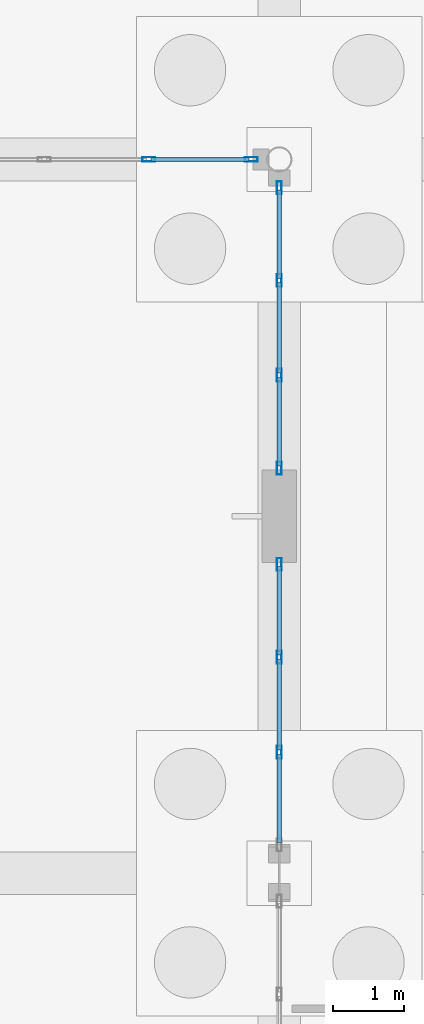
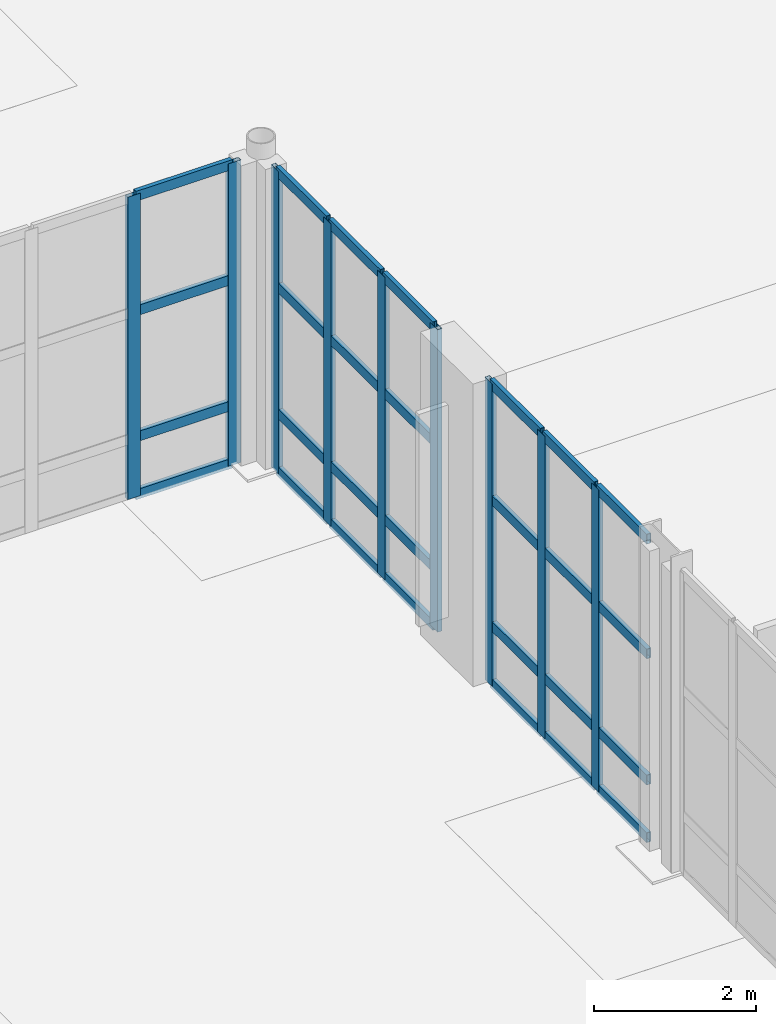
# One storey, part 31 of 73: 37 members, 3 elements without a shape of their own.
"""IFC4 building model written with IfcOpenShell, lengths in metres."""

from ifc_helpers import new_model, si_unit, direction, frame, origin, origin_2d, place, context, subcontext, project, spatial, hollow_rectangle, extrude, material, layer, layer_set, material_profile, profile_set, type_object, element, aggregate, save


model = new_model("IFC4")

# Units and contexts
model_context = context("Model", 3, precision=1e-05, world=origin(), true_north=direction((0.0, 1.0)))
body_context = subcontext(model_context, "Body", "Model", "MODEL_VIEW")
ifc_project = project(units=[si_unit("LENGTHUNIT", "METRE"), si_unit("AREAUNIT", "SQUARE_METRE"), si_unit("VOLUMEUNIT", "CUBIC_METRE"), si_unit("PLANEANGLEUNIT", "RADIAN"), si_unit("MASSUNIT", "GRAM", prefix="KILO")], contexts=[model_context])

# Site, building, storey
site_placement = place(None, origin())
site = spatial("IfcSite", under=ifc_project, at=site_placement, CompositionType="ELEMENT")
building_placement = place(site_placement, origin())
building = spatial("IfcBuilding", under=site, at=building_placement, Name="Tasgan Crest Museum", CompositionType="ELEMENT")
storey_placement = place(building_placement, origin())
storey = spatial("IfcBuildingStorey", under=building, at=storey_placement, Name="L00", CompositionType="ELEMENT", Elevation=0.0)

# Curtain wall, members
ifc_material_1 = material(Name="Triple-Glazed Aluminium Curtain Wall", Category="aluminium")
ifc_layer_1 = layer(ifc_material_1, 0.179931640625, Name="CW-DRUM-X-48")
ifc_layer_set_1 = layer_set([ifc_layer_1], Name="Triple-Glazed Aluminium Curtain Wall")
curtain_wall_type_1 = type_object("IfcCurtainWallType", Name="CW-DRUM-X-48", PredefinedType="NOTDEFINED", material=ifc_layer_set_1)
curtain_wall_1_placement = place(storey_placement, origin())
curtain_wall_1 = element("IfcCurtainWall", 1, at=curtain_wall_1_placement, inside=storey, type_object=curtain_wall_type_1, Name="Curtain wall L00 002", PredefinedType="NOTDEFINED")
ifc_material_2 = material(Name="Anodised Aluminium", Category="aluminium")
ifc_material_profile_1 = material_profile(ifc_material_2, hollow_rectangle(XDim=0.06494140625, YDim=0.179931640625, WallThickness=0.0048828125, at=origin_2d()), Name="ALU MULLION 180x65x5")
ifc_profile_set_1 = profile_set([ifc_material_profile_1], Name="Anodised Aluminium")
member_type_1 = type_object("IfcMemberType", Name="CW-MULLION-180", PredefinedType="MULLION", material=ifc_profile_set_1)
member_1_placement = place(storey_placement, frame((62.9716796875, 40.0, 0.0), z_axis=(0.0, 0.0, 1.0), x_axis=(0.0, 1.0, 0.0)))
member_1 = element("IfcMember", 2, at=member_1_placement, type_object=member_type_1, Name="CW03 mullion 3", PredefinedType="MULLION", context=body_context, shape_type="SweptSolid", body=[
    extrude(hollow_rectangle(XDim=0.06494140625, YDim=0.179931640625, WallThickness=0.0048828125, at=origin_2d()), origin(), (0.0, 0.0, 1.0), 4.56005859375),
])
member_2_placement = place(storey_placement, frame((64.405029296875, 40.0, 0.0), z_axis=(0.0, 0.0, 1.0), x_axis=(0.0, 1.0, 0.0)))
member_2 = element("IfcMember", 3, at=member_2_placement, type_object=member_type_1, Name="CW03 mullion 4", PredefinedType="MULLION", context=body_context, shape_type="SweptSolid", body=[
    extrude(hollow_rectangle(XDim=0.06494140625, YDim=0.179931640625, WallThickness=0.0048828125, at=origin_2d()), origin(), (0.0, 0.0, 1.0), 4.56005859375),
])

ifc_material_3 = material(Name="Triple-Glazed Aluminium Curtain Wall", Category="aluminium")
ifc_layer_2 = layer(ifc_material_3, 0.179931640625, Name="CW-PORCH-Y")
ifc_layer_set_2 = layer_set([ifc_layer_2], Name="Triple-Glazed Aluminium Curtain Wall")
curtain_wall_type_2 = type_object("IfcCurtainWallType", Name="CW-PORCH-Y", PredefinedType="NOTDEFINED", material=ifc_layer_set_2)
curtain_wall_2_placement = place(storey_placement, origin())
curtain_wall_2 = element("IfcCurtainWall", 4, at=curtain_wall_2_placement, inside=storey, type_object=curtain_wall_type_2, Name="Curtain wall L00 003", PredefinedType="NOTDEFINED")
member_3_placement = place(storey_placement, frame((64.800048828125, 39.60498046875, 0.0), z_axis=(0.0, 0.0, 1.0), x_axis=(1.0, 0.0, 0.0)))
member_3 = element("IfcMember", 5, at=member_3_placement, type_object=member_type_1, Name="CW02 mullion 1", PredefinedType="MULLION", context=body_context, shape_type="SweptSolid", body=[
    extrude(hollow_rectangle(XDim=0.06494140625, YDim=0.179931640625, WallThickness=0.0048828125, at=origin_2d()), origin(), (0.0, 0.0, 1.0), 4.56005859375),
])
member_4_placement = place(storey_placement, frame((64.800048828125, 38.304931640625, 0.0), z_axis=(0.0, 0.0, 1.0), x_axis=(1.0, 0.0, 0.0)))
member_4 = element("IfcMember", 6, at=member_4_placement, type_object=member_type_1, Name="CW02 mullion 2", PredefinedType="MULLION", context=body_context, shape_type="SweptSolid", body=[
    extrude(hollow_rectangle(XDim=0.06494140625, YDim=0.179931640625, WallThickness=0.0048828125, at=origin_2d()), origin(), (0.0, 0.0, 1.0), 4.56005859375),
])
member_5_placement = place(storey_placement, frame((64.800048828125, 36.97509765625, 0.0), z_axis=(0.0, 0.0, 1.0), x_axis=(1.0, 0.0, 0.0)))
member_5 = element("IfcMember", 7, at=member_5_placement, type_object=member_type_1, Name="CW02 mullion 3", PredefinedType="MULLION", context=body_context, shape_type="SweptSolid", body=[
    extrude(hollow_rectangle(XDim=0.06494140625, YDim=0.179931640625, WallThickness=0.0048828125, at=origin_2d()), origin(), (0.0, 0.0, 1.0), 4.56005859375),
])
member_6_placement = place(storey_placement, frame((64.800048828125, 35.675048828125, 0.0), z_axis=(0.0, 0.0, 1.0), x_axis=(1.0, 0.0, 0.0)))
member_6 = element("IfcMember", 8, at=member_6_placement, type_object=member_type_1, Name="CW02 mullion 4", PredefinedType="MULLION", context=body_context, shape_type="SweptSolid", body=[
    extrude(hollow_rectangle(XDim=0.06494140625, YDim=0.179931640625, WallThickness=0.0048828125, at=origin_2d()), origin(), (0.0, 0.0, 1.0), 4.56005859375),
])

curtain_wall_3_placement = place(storey_placement, origin())
curtain_wall_3 = element("IfcCurtainWall", 9, at=curtain_wall_3_placement, inside=storey, type_object=curtain_wall_type_2, Name="Curtain wall L00 004", PredefinedType="NOTDEFINED")
member_7_placement = place(storey_placement, frame((64.800048828125, 34.324951171875, 0.0), z_axis=(0.0, 0.0, 1.0), x_axis=(1.0, 0.0, 0.0)))
member_7 = element("IfcMember", 10, at=member_7_placement, type_object=member_type_1, Name="CW02 mullion 1", PredefinedType="MULLION", context=body_context, shape_type="SweptSolid", body=[
    extrude(hollow_rectangle(XDim=0.06494140625, YDim=0.179931640625, WallThickness=0.0048828125, at=origin_2d()), origin(), (0.0, 0.0, 1.0), 4.56005859375),
])
member_8_placement = place(storey_placement, frame((64.800048828125, 33.02490234375, 0.0), z_axis=(0.0, 0.0, 1.0), x_axis=(1.0, 0.0, 0.0)))
member_8 = element("IfcMember", 11, at=member_8_placement, type_object=member_type_1, Name="CW02 mullion 2", PredefinedType="MULLION", context=body_context, shape_type="SweptSolid", body=[
    extrude(hollow_rectangle(XDim=0.06494140625, YDim=0.179931640625, WallThickness=0.0048828125, at=origin_2d()), origin(), (0.0, 0.0, 1.0), 4.56005859375),
])
member_9_placement = place(storey_placement, frame((64.800048828125, 31.695068359375, 0.0), z_axis=(0.0, 0.0, 1.0), x_axis=(1.0, 0.0, 0.0)))
member_9 = element("IfcMember", 12, at=member_9_placement, type_object=member_type_1, Name="CW02 mullion 3", PredefinedType="MULLION", context=body_context, shape_type="SweptSolid", body=[
    extrude(hollow_rectangle(XDim=0.06494140625, YDim=0.179931640625, WallThickness=0.0048828125, at=origin_2d()), origin(), (0.0, 0.0, 1.0), 4.56005859375),
])

# Member
ifc_material_4 = material(Name="Anodised Aluminium", Category="aluminium")
ifc_material_profile_2 = material_profile(ifc_material_4, hollow_rectangle(XDim=0.06005859375, YDim=0.14990234375, WallThickness=0.0048828125, at=origin_2d()), Name="ALU TRANSOM 150x60x5")
ifc_profile_set_2 = profile_set([ifc_material_profile_2], Name="Anodised Aluminium")
member_type_2 = type_object("IfcMemberType", Name="CW-TRANSOM-150", PredefinedType="USERDEFINED", material=ifc_profile_set_2)
member_10_placement = place(storey_placement, frame((63.001708984375, 40.0, 0.030029296875), z_axis=(1.0, 0.0, 0.0), x_axis=(0.0, 1.0, 0.0)))
member_10 = element("IfcMember", 13, at=member_10_placement, type_object=member_type_2, Name="CW03 transom 3.1", ObjectType="TRANSOM", PredefinedType="USERDEFINED", context=body_context, shape_type="SweptSolid", body=[
    extrude(hollow_rectangle(XDim=0.06005859375, YDim=0.14990234375, WallThickness=0.0048828125, at=origin_2d()), origin(), (0.0, 0.0, 1.0), 1.373291015625),
])

member_11_placement = place(storey_placement, frame((63.001708984375, 40.0, 0.89990234375), z_axis=(1.0, 0.0, 0.0), x_axis=(0.0, 1.0, 0.0)))
member_11 = element("IfcMember", 14, at=member_11_placement, type_object=member_type_2, Name="CW03 transom 3.2", ObjectType="TRANSOM", PredefinedType="USERDEFINED", context=body_context, shape_type="SweptSolid", body=[
    extrude(hollow_rectangle(XDim=0.06005859375, YDim=0.14990234375, WallThickness=0.0048828125, at=origin_2d()), origin(), (0.0, 0.0, 1.0), 1.373291015625),
])

member_12_placement = place(storey_placement, frame((63.001708984375, 40.0, 2.800048828125), z_axis=(1.0, 0.0, 0.0), x_axis=(0.0, 1.0, 0.0)))
member_12 = element("IfcMember", 15, at=member_12_placement, type_object=member_type_2, Name="CW03 transom 3.3", ObjectType="TRANSOM", PredefinedType="USERDEFINED", context=body_context, shape_type="SweptSolid", body=[
    extrude(hollow_rectangle(XDim=0.06005859375, YDim=0.14990234375, WallThickness=0.0048828125, at=origin_2d()), origin(), (0.0, 0.0, 1.0), 1.373291015625),
])

member_13_placement = place(storey_placement, frame((63.001708984375, 40.0, 4.530029296875), z_axis=(1.0, 0.0, 0.0), x_axis=(0.0, 1.0, 0.0)))
member_13 = element("IfcMember", 16, at=member_13_placement, type_object=member_type_2, Name="CW03 transom 3.4", ObjectType="TRANSOM", PredefinedType="USERDEFINED", context=body_context, shape_type="SweptSolid", body=[
    extrude(hollow_rectangle(XDim=0.06005859375, YDim=0.14990234375, WallThickness=0.0048828125, at=origin_2d()), origin(), (0.0, 0.0, 1.0), 1.373291015625),
])

aggregate(curtain_wall_1, [member_1, member_2, member_10, member_11, member_12, member_13])

member_14_placement = place(storey_placement, frame((64.800048828125, 39.574951171875, 0.030029296875), z_axis=(0.0, -1.0, 0.0), x_axis=(1.0, 0.0, 0.0)))
member_14 = element("IfcMember", 17, at=member_14_placement, type_object=member_type_2, Name="CW02 transom 1.1", ObjectType="TRANSOM", PredefinedType="USERDEFINED", context=body_context, shape_type="SweptSolid", body=[
    extrude(hollow_rectangle(XDim=0.06005859375, YDim=0.14990234375, WallThickness=0.0048828125, at=origin_2d()), origin(), (0.0, 0.0, 1.0), 1.239990234375),
])

member_15_placement = place(storey_placement, frame((64.800048828125, 39.574951171875, 0.89990234375), z_axis=(0.0, -1.0, 0.0), x_axis=(1.0, 0.0, 0.0)))
member_15 = element("IfcMember", 18, at=member_15_placement, type_object=member_type_2, Name="CW02 transom 1.2", ObjectType="TRANSOM", PredefinedType="USERDEFINED", context=body_context, shape_type="SweptSolid", body=[
    extrude(hollow_rectangle(XDim=0.06005859375, YDim=0.14990234375, WallThickness=0.0048828125, at=origin_2d()), origin(), (0.0, 0.0, 1.0), 1.239990234375),
])

member_16_placement = place(storey_placement, frame((64.800048828125, 39.574951171875, 2.800048828125), z_axis=(0.0, -1.0, 0.0), x_axis=(1.0, 0.0, 0.0)))
member_16 = element("IfcMember", 19, at=member_16_placement, type_object=member_type_2, Name="CW02 transom 1.3", ObjectType="TRANSOM", PredefinedType="USERDEFINED", context=body_context, shape_type="SweptSolid", body=[
    extrude(hollow_rectangle(XDim=0.06005859375, YDim=0.14990234375, WallThickness=0.0048828125, at=origin_2d()), origin(), (0.0, 0.0, 1.0), 1.239990234375),
])

member_17_placement = place(storey_placement, frame((64.800048828125, 39.574951171875, 4.530029296875), z_axis=(0.0, -1.0, 0.0), x_axis=(1.0, 0.0, 0.0)))
member_17 = element("IfcMember", 20, at=member_17_placement, type_object=member_type_2, Name="CW02 transom 1.4", ObjectType="TRANSOM", PredefinedType="USERDEFINED", context=body_context, shape_type="SweptSolid", body=[
    extrude(hollow_rectangle(XDim=0.06005859375, YDim=0.14990234375, WallThickness=0.0048828125, at=origin_2d()), origin(), (0.0, 0.0, 1.0), 1.239990234375),
])

member_18_placement = place(storey_placement, frame((64.800048828125, 38.27490234375, 0.030029296875), z_axis=(0.0, -1.0, 0.0), x_axis=(1.0, 0.0, 0.0)))
member_18 = element("IfcMember", 21, at=member_18_placement, type_object=member_type_2, Name="CW02 transom 2.1", ObjectType="TRANSOM", PredefinedType="USERDEFINED", context=body_context, shape_type="SweptSolid", body=[
    extrude(hollow_rectangle(XDim=0.06005859375, YDim=0.14990234375, WallThickness=0.0048828125, at=origin_2d()), origin(), (0.0, 0.0, 1.0), 1.27001953125),
])

member_19_placement = place(storey_placement, frame((64.800048828125, 38.27490234375, 0.89990234375), z_axis=(0.0, -1.0, 0.0), x_axis=(1.0, 0.0, 0.0)))
member_19 = element("IfcMember", 22, at=member_19_placement, type_object=member_type_2, Name="CW02 transom 2.2", ObjectType="TRANSOM", PredefinedType="USERDEFINED", context=body_context, shape_type="SweptSolid", body=[
    extrude(hollow_rectangle(XDim=0.06005859375, YDim=0.14990234375, WallThickness=0.0048828125, at=origin_2d()), origin(), (0.0, 0.0, 1.0), 1.27001953125),
])

member_20_placement = place(storey_placement, frame((64.800048828125, 38.27490234375, 2.800048828125), z_axis=(0.0, -1.0, 0.0), x_axis=(1.0, 0.0, 0.0)))
member_20 = element("IfcMember", 23, at=member_20_placement, type_object=member_type_2, Name="CW02 transom 2.3", ObjectType="TRANSOM", PredefinedType="USERDEFINED", context=body_context, shape_type="SweptSolid", body=[
    extrude(hollow_rectangle(XDim=0.06005859375, YDim=0.14990234375, WallThickness=0.0048828125, at=origin_2d()), origin(), (0.0, 0.0, 1.0), 1.27001953125),
])

member_21_placement = place(storey_placement, frame((64.800048828125, 38.27490234375, 4.530029296875), z_axis=(0.0, -1.0, 0.0), x_axis=(1.0, 0.0, 0.0)))
member_21 = element("IfcMember", 24, at=member_21_placement, type_object=member_type_2, Name="CW02 transom 2.4", ObjectType="TRANSOM", PredefinedType="USERDEFINED", context=body_context, shape_type="SweptSolid", body=[
    extrude(hollow_rectangle(XDim=0.06005859375, YDim=0.14990234375, WallThickness=0.0048828125, at=origin_2d()), origin(), (0.0, 0.0, 1.0), 1.27001953125),
])

member_22_placement = place(storey_placement, frame((64.800048828125, 36.945068359375, 0.030029296875), z_axis=(0.0, -1.0, 0.0), x_axis=(1.0, 0.0, 0.0)))
member_22 = element("IfcMember", 25, at=member_22_placement, type_object=member_type_2, Name="CW02 transom 3.1", ObjectType="TRANSOM", PredefinedType="USERDEFINED", context=body_context, shape_type="SweptSolid", body=[
    extrude(hollow_rectangle(XDim=0.06005859375, YDim=0.14990234375, WallThickness=0.0048828125, at=origin_2d()), origin(), (0.0, 0.0, 1.0), 1.239990234375),
])

member_23_placement = place(storey_placement, frame((64.800048828125, 36.945068359375, 0.89990234375), z_axis=(0.0, -1.0, 0.0), x_axis=(1.0, 0.0, 0.0)))
member_23 = element("IfcMember", 26, at=member_23_placement, type_object=member_type_2, Name="CW02 transom 3.2", ObjectType="TRANSOM", PredefinedType="USERDEFINED", context=body_context, shape_type="SweptSolid", body=[
    extrude(hollow_rectangle(XDim=0.06005859375, YDim=0.14990234375, WallThickness=0.0048828125, at=origin_2d()), origin(), (0.0, 0.0, 1.0), 1.239990234375),
])

member_24_placement = place(storey_placement, frame((64.800048828125, 36.945068359375, 2.800048828125), z_axis=(0.0, -1.0, 0.0), x_axis=(1.0, 0.0, 0.0)))
member_24 = element("IfcMember", 27, at=member_24_placement, type_object=member_type_2, Name="CW02 transom 3.3", ObjectType="TRANSOM", PredefinedType="USERDEFINED", context=body_context, shape_type="SweptSolid", body=[
    extrude(hollow_rectangle(XDim=0.06005859375, YDim=0.14990234375, WallThickness=0.0048828125, at=origin_2d()), origin(), (0.0, 0.0, 1.0), 1.239990234375),
])

member_25_placement = place(storey_placement, frame((64.800048828125, 36.945068359375, 4.530029296875), z_axis=(0.0, -1.0, 0.0), x_axis=(1.0, 0.0, 0.0)))
member_25 = element("IfcMember", 28, at=member_25_placement, type_object=member_type_2, Name="CW02 transom 3.4", ObjectType="TRANSOM", PredefinedType="USERDEFINED", context=body_context, shape_type="SweptSolid", body=[
    extrude(hollow_rectangle(XDim=0.06005859375, YDim=0.14990234375, WallThickness=0.0048828125, at=origin_2d()), origin(), (0.0, 0.0, 1.0), 1.239990234375),
])

aggregate(curtain_wall_2, [member_3, member_4, member_5, member_6, member_14, member_15, member_16, member_17, member_18, member_19, member_20, member_21, member_22, member_23, member_24, member_25])

member_26_placement = place(storey_placement, frame((64.800048828125, 34.294921875, 0.030029296875), z_axis=(0.0, -1.0, 0.0), x_axis=(1.0, 0.0, 0.0)))
member_26 = element("IfcMember", 29, at=member_26_placement, type_object=member_type_2, Name="CW02 transom 1.1", ObjectType="TRANSOM", PredefinedType="USERDEFINED", context=body_context, shape_type="SweptSolid", body=[
    extrude(hollow_rectangle(XDim=0.06005859375, YDim=0.14990234375, WallThickness=0.0048828125, at=origin_2d()), origin(), (0.0, 0.0, 1.0), 1.239990234375),
])

member_27_placement = place(storey_placement, frame((64.800048828125, 34.294921875, 0.89990234375), z_axis=(0.0, -1.0, 0.0), x_axis=(1.0, 0.0, 0.0)))
member_27 = element("IfcMember", 30, at=member_27_placement, type_object=member_type_2, Name="CW02 transom 1.2", ObjectType="TRANSOM", PredefinedType="USERDEFINED", context=body_context, shape_type="SweptSolid", body=[
    extrude(hollow_rectangle(XDim=0.06005859375, YDim=0.14990234375, WallThickness=0.0048828125, at=origin_2d()), origin(), (0.0, 0.0, 1.0), 1.239990234375),
])

member_28_placement = place(storey_placement, frame((64.800048828125, 34.294921875, 2.800048828125), z_axis=(0.0, -1.0, 0.0), x_axis=(1.0, 0.0, 0.0)))
member_28 = element("IfcMember", 31, at=member_28_placement, type_object=member_type_2, Name="CW02 transom 1.3", ObjectType="TRANSOM", PredefinedType="USERDEFINED", context=body_context, shape_type="SweptSolid", body=[
    extrude(hollow_rectangle(XDim=0.06005859375, YDim=0.14990234375, WallThickness=0.0048828125, at=origin_2d()), origin(), (0.0, 0.0, 1.0), 1.239990234375),
])

member_29_placement = place(storey_placement, frame((64.800048828125, 34.294921875, 4.530029296875), z_axis=(0.0, -1.0, 0.0), x_axis=(1.0, 0.0, 0.0)))
member_29 = element("IfcMember", 32, at=member_29_placement, type_object=member_type_2, Name="CW02 transom 1.4", ObjectType="TRANSOM", PredefinedType="USERDEFINED", context=body_context, shape_type="SweptSolid", body=[
    extrude(hollow_rectangle(XDim=0.06005859375, YDim=0.14990234375, WallThickness=0.0048828125, at=origin_2d()), origin(), (0.0, 0.0, 1.0), 1.239990234375),
])

member_30_placement = place(storey_placement, frame((64.800048828125, 32.9951171875, 0.030029296875), z_axis=(0.0, -1.0, 0.0), x_axis=(1.0, 0.0, 0.0)))
member_30 = element("IfcMember", 33, at=member_30_placement, type_object=member_type_2, Name="CW02 transom 2.1", ObjectType="TRANSOM", PredefinedType="USERDEFINED", context=body_context, shape_type="SweptSolid", body=[
    extrude(hollow_rectangle(XDim=0.06005859375, YDim=0.14990234375, WallThickness=0.0048828125, at=origin_2d()), origin(), (0.0, 0.0, 1.0), 1.27001953125),
])

member_31_placement = place(storey_placement, frame((64.800048828125, 32.9951171875, 0.89990234375), z_axis=(0.0, -1.0, 0.0), x_axis=(1.0, 0.0, 0.0)))
member_31 = element("IfcMember", 34, at=member_31_placement, type_object=member_type_2, Name="CW02 transom 2.2", ObjectType="TRANSOM", PredefinedType="USERDEFINED", context=body_context, shape_type="SweptSolid", body=[
    extrude(hollow_rectangle(XDim=0.06005859375, YDim=0.14990234375, WallThickness=0.0048828125, at=origin_2d()), origin(), (0.0, 0.0, 1.0), 1.27001953125),
])

member_32_placement = place(storey_placement, frame((64.800048828125, 32.9951171875, 2.800048828125), z_axis=(0.0, -1.0, 0.0), x_axis=(1.0, 0.0, 0.0)))
member_32 = element("IfcMember", 35, at=member_32_placement, type_object=member_type_2, Name="CW02 transom 2.3", ObjectType="TRANSOM", PredefinedType="USERDEFINED", context=body_context, shape_type="SweptSolid", body=[
    extrude(hollow_rectangle(XDim=0.06005859375, YDim=0.14990234375, WallThickness=0.0048828125, at=origin_2d()), origin(), (0.0, 0.0, 1.0), 1.27001953125),
])

member_33_placement = place(storey_placement, frame((64.800048828125, 32.9951171875, 4.530029296875), z_axis=(0.0, -1.0, 0.0), x_axis=(1.0, 0.0, 0.0)))
member_33 = element("IfcMember", 36, at=member_33_placement, type_object=member_type_2, Name="CW02 transom 2.4", ObjectType="TRANSOM", PredefinedType="USERDEFINED", context=body_context, shape_type="SweptSolid", body=[
    extrude(hollow_rectangle(XDim=0.06005859375, YDim=0.14990234375, WallThickness=0.0048828125, at=origin_2d()), origin(), (0.0, 0.0, 1.0), 1.27001953125),
])

member_34_placement = place(storey_placement, frame((64.800048828125, 31.6650390625, 0.030029296875), z_axis=(0.0, -1.0, 0.0), x_axis=(1.0, 0.0, 0.0)))
member_34 = element("IfcMember", 37, at=member_34_placement, type_object=member_type_2, Name="CW02 transom 3.1", ObjectType="TRANSOM", PredefinedType="USERDEFINED", context=body_context, shape_type="SweptSolid", body=[
    extrude(hollow_rectangle(XDim=0.06005859375, YDim=0.14990234375, WallThickness=0.0048828125, at=origin_2d()), origin(), (0.0, 0.0, 1.0), 1.239990234375),
])

member_35_placement = place(storey_placement, frame((64.800048828125, 31.6650390625, 0.89990234375), z_axis=(0.0, -1.0, 0.0), x_axis=(1.0, 0.0, 0.0)))
member_35 = element("IfcMember", 38, at=member_35_placement, type_object=member_type_2, Name="CW02 transom 3.2", ObjectType="TRANSOM", PredefinedType="USERDEFINED", context=body_context, shape_type="SweptSolid", body=[
    extrude(hollow_rectangle(XDim=0.06005859375, YDim=0.14990234375, WallThickness=0.0048828125, at=origin_2d()), origin(), (0.0, 0.0, 1.0), 1.239990234375),
])

member_36_placement = place(storey_placement, frame((64.800048828125, 31.6650390625, 2.800048828125), z_axis=(0.0, -1.0, 0.0), x_axis=(1.0, 0.0, 0.0)))
member_36 = element("IfcMember", 39, at=member_36_placement, type_object=member_type_2, Name="CW02 transom 3.3", ObjectType="TRANSOM", PredefinedType="USERDEFINED", context=body_context, shape_type="SweptSolid", body=[
    extrude(hollow_rectangle(XDim=0.06005859375, YDim=0.14990234375, WallThickness=0.0048828125, at=origin_2d()), origin(), (0.0, 0.0, 1.0), 1.239990234375),
])

member_37_placement = place(storey_placement, frame((64.800048828125, 31.6650390625, 4.530029296875), z_axis=(0.0, -1.0, 0.0), x_axis=(1.0, 0.0, 0.0)))
member_37 = element("IfcMember", 40, at=member_37_placement, type_object=member_type_2, Name="CW02 transom 3.4", ObjectType="TRANSOM", PredefinedType="USERDEFINED", context=body_context, shape_type="SweptSolid", body=[
    extrude(hollow_rectangle(XDim=0.06005859375, YDim=0.14990234375, WallThickness=0.0048828125, at=origin_2d()), origin(), (0.0, 0.0, 1.0), 1.239990234375),
])

aggregate(curtain_wall_3, [member_7, member_8, member_9, member_26, member_27, member_28, member_29, member_30, member_31, member_32, member_33, member_34, member_35, member_36, member_37])

save(model, "model.ifc")
